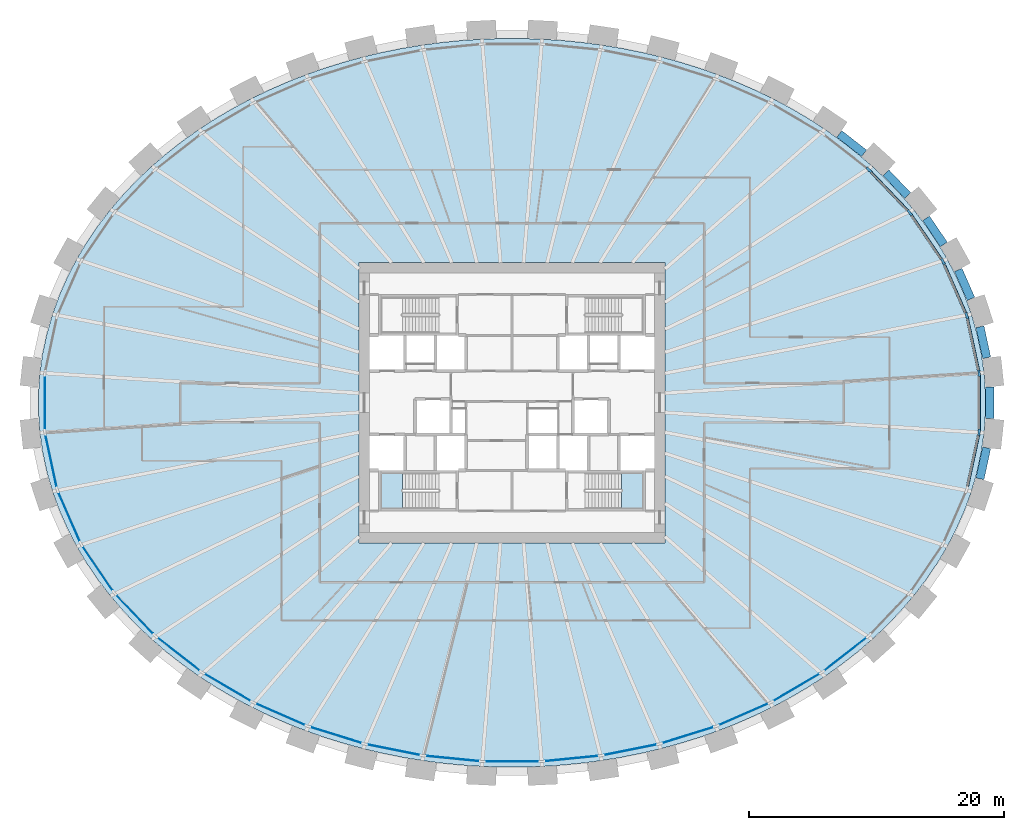
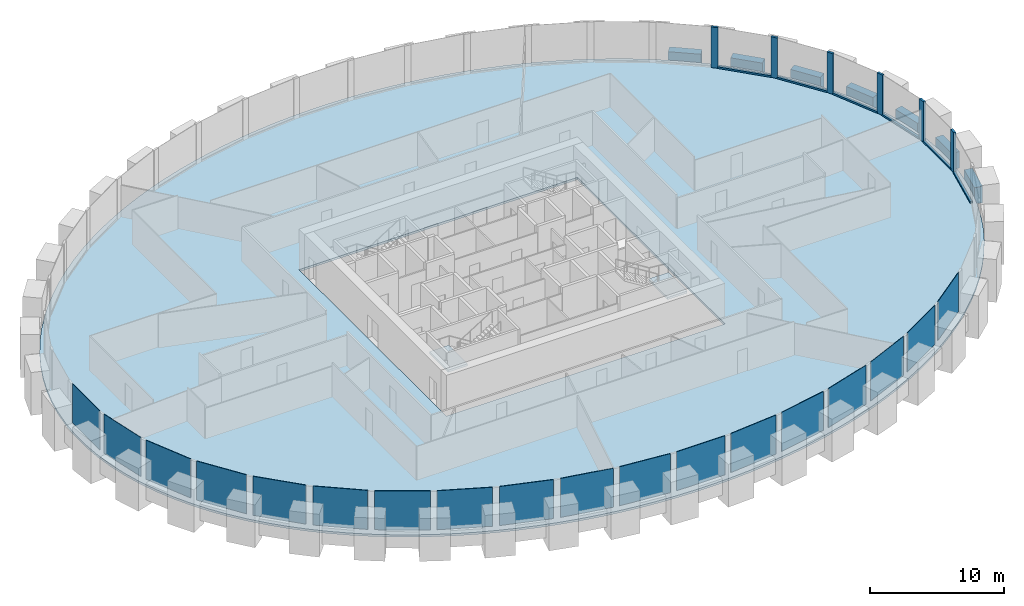
# One storey, part 4 of 10: 18 plates, 12 members, 7 beams, 3 slabs, 3 elements without a shape of their own.
"""IFC4 building model written with IfcOpenShell, lengths in metres."""

from ifc_helpers import new_model, si_unit, direction, frame, origin, origin_2d, place, context, subcontext, project, spatial, polyline, rectangle, outline, extrude, source, transform, mapped, material, layer, layer_set, material_profile, profile_set, type_object, element, aggregate, save


model = new_model("IFC4")

# Units and contexts
model_context = context("Model", 3, precision=1e-05, world=origin(), true_north=direction((0.0, 1.0)))
body_context = subcontext(model_context, "Body", "Model", "MODEL_VIEW")
ifc_project = project(units=[si_unit("LENGTHUNIT", "METRE"), si_unit("AREAUNIT", "SQUARE_METRE"), si_unit("VOLUMEUNIT", "CUBIC_METRE"), si_unit("PLANEANGLEUNIT", "RADIAN"), si_unit("MASSUNIT", "GRAM", prefix="KILO")], contexts=[model_context])

# Site, building, storey
site_placement = place(None, origin())
site = spatial("IfcSite", under=ifc_project, at=site_placement, CompositionType="ELEMENT")
building_placement = place(site_placement, origin())
building = spatial("IfcBuilding", under=site, at=building_placement, Name="Embergate Tower", CompositionType="ELEMENT")
storey_placement = place(building_placement, frame((0.0, 0.0, 156.0)))
storey = spatial("IfcBuildingStorey", under=building, at=storey_placement, Name="L34", CompositionType="ELEMENT", Elevation=156.0)

# Beams
ifc_material_1 = material(Name="Concrete C70", Category="concrete")
ifc_material_profile_1 = material_profile(ifc_material_1, rectangle(XDim=0.64990234375, YDim=1.5, at=origin_2d()), Name="RC 650x1500")
ifc_profile_set_1 = profile_set([ifc_material_profile_1], Name="Concrete C70")
beam_type = type_object("IfcBeamType", Name="Spandrel beam RC 650x1500 C70", PredefinedType="BEAM", material=ifc_profile_set_1)
shared_shape_1 = source(origin(), body_context, "Body", "SweptSolid", [
    extrude(rectangle(XDim=0.64990234375, YDim=1.5, at=origin_2d()), origin(), (0.0, 0.0, 1.0), 2.490966796875),
])
for number, where, z_axis, x_axis, name in (
    (1, (37.27294921875, 3.532958984375, 0.0), (-0.210720345789, 0.977546385534, 0.0), (-0.977546385534, -0.210720345789, 0.0), "SPN-L34-00"),
    (2, (36.748046875, -5.968017578125, 0.0), (0.210720345789, 0.977546385534, 0.0), (-0.977546385534, 0.210720345789, 0.0), "SPN-L34-42"),
):
    element("IfcBeam", number, at=place(storey_placement, frame(where, z_axis=z_axis, x_axis=x_axis)), inside=storey, type_object=beam_type, Name=name, PredefinedType="BEAM", context=body_context, shape_type="MappedRepresentation", body=[
        mapped(shared_shape_1, transform((0.0, 0.0, 0.0))),
    ])
shared_shape_2 = source(origin(), body_context, "Body", "SweptSolid", [
    extrude(rectangle(XDim=0.64990234375, YDim=1.5, at=origin_2d()), origin(), (0.0, 0.0, 1.0), 2.48828125),
])
beam_1_placement = place(storey_placement, frame((36.041015625, 8.156005859375, 0.0), z_axis=(-0.401472379967, 0.91587113074, 0.0), x_axis=(-0.91587113074, -0.401472379967, 0.0)))
element("IfcBeam", 3, at=beam_1_placement, inside=storey, type_object=beam_type, Name="SPN-L34-01", PredefinedType="BEAM", context=body_context, shape_type="MappedRepresentation", body=[
    mapped(shared_shape_2, transform((0.0, 0.0, 0.0))),
])
shared_shape_3 = source(origin(), body_context, "Body", "SweptSolid", [
    extrude(rectangle(XDim=0.64990234375, YDim=1.5, at=origin_2d()), origin(), (0.0, 0.0, 1.0), 2.4775390625),
])
beam_2_placement = place(storey_placement, frame((33.910888671875, 12.43701171875, 0.0), z_axis=(-0.562159078618, 0.827029123022, 0.0), x_axis=(-0.827029123022, -0.562159078618, 0.0)))
element("IfcBeam", 4, at=beam_2_placement, inside=storey, type_object=beam_type, Name="SPN-L34-02", PredefinedType="BEAM", context=body_context, shape_type="MappedRepresentation", body=[
    mapped(shared_shape_3, transform((0.0, 0.0, 0.0))),
])
shared_shape_4 = source(origin(), body_context, "Body", "SweptSolid", [
    extrude(rectangle(XDim=0.64990234375, YDim=1.5, at=origin_2d()), origin(), (0.0, 0.0, 1.0), 2.473388671875),
])
beam_3_placement = place(storey_placement, frame((31.072021484375, 16.27490234375, 0.0), z_axis=(-0.69012823406, 0.723687101276, 0.0), x_axis=(-0.723687101276, -0.69012823406, 0.0)))
element("IfcBeam", 5, at=beam_3_placement, inside=storey, type_object=beam_type, Name="SPN-L34-03", PredefinedType="BEAM", context=body_context, shape_type="MappedRepresentation", body=[
    mapped(shared_shape_4, transform((0.0, 0.0, 0.0))),
])
shared_shape_5 = source(origin(), body_context, "Body", "SweptSolid", [
    extrude(rectangle(XDim=0.64990234375, YDim=1.5, at=origin_2d()), origin(), (0.0, 0.0, 1.0), 2.466552734375),
])
beam_4_placement = place(storey_placement, frame((27.64697265625, 19.593994140625, 0.0), z_axis=(-0.788172909908, 0.615453868367, 0.0), x_axis=(-0.615453868367, -0.788172909908, 0.0)))
element("IfcBeam", 6, at=beam_4_placement, inside=storey, type_object=beam_type, Name="SPN-L34-04", PredefinedType="BEAM", context=body_context, shape_type="MappedRepresentation", body=[
    mapped(shared_shape_5, transform((0.0, 0.0, 0.0))),
])
shared_shape_6 = source(origin(), body_context, "Body", "SweptSolid", [
    extrude(rectangle(XDim=0.64990234375, YDim=1.5, at=origin_2d()), origin(), (0.0, 0.0, 1.0), 2.4921875),
])
beam_5_placement = place(storey_placement, frame((37.51611328125, -1.24609375, 0.0), z_axis=(0.0, 1.0, 0.0), x_axis=(-1.0, 0.0, 0.0)))
element("IfcBeam", 7, at=beam_5_placement, inside=storey, type_object=beam_type, Name="SPN-L34-43", PredefinedType="BEAM", context=body_context, shape_type="MappedRepresentation", body=[
    mapped(shared_shape_6, transform((0.0, 0.0, 0.0))),
])

# Curtain wall, members
ifc_material_2 = material(Name="Aluminium and glass", Category="aluminium")
curtain_wall_type = type_object("IfcCurtainWallType", Name="Recessed office glazing", PredefinedType="NOTDEFINED", material=ifc_material_2)
curtain_wall_placement = place(storey_placement, origin())
curtain_wall = element("IfcCurtainWall", 8, at=curtain_wall_placement, inside=storey, type_object=curtain_wall_type, Name="Recessed office glazing ring", ObjectType="RECESSED OFFICE GLAZING", PredefinedType="USERDEFINED")
ifc_material_3 = material(Name="Aluminium, thermally broken", Category="aluminium")
ifc_material_profile_2 = material_profile(ifc_material_3, rectangle(XDim=0.179931640625, YDim=0.52001953125, at=origin_2d()), Name="AL 520x180")
ifc_profile_set_2 = profile_set([ifc_material_profile_2], Name="Aluminium, thermally broken")
member_type_1 = type_object("IfcMemberType", Name="Office mullion", PredefinedType="MULLION", material=ifc_profile_set_2)
shared_shape_7 = source(origin(), body_context, "Body", "SweptSolid", [
    extrude(rectangle(XDim=0.179931640625, YDim=0.52001953125, at=origin_2d()), origin(), (0.0, 0.0, 1.0), 3.699951171875),
])
member_1_placement = place(storey_placement, frame((36.68310546875, 2.313232421875, 0.0), z_axis=(0.0, 0.0, 1.0), x_axis=(-0.994384954736, -0.105823257345, 0.0)))
member_1 = element("IfcMember", 9, at=member_1_placement, type_object=member_type_1, Name="CW mullion 1", PredefinedType="MULLION", context=body_context, shape_type="MappedRepresentation", body=[
    mapped(shared_shape_7, transform((0.0, 0.0, 0.0))),
])
member_2_placement = place(storey_placement, frame((35.708984375, 6.8388671875, 0.0), z_axis=(0.0, 0.0, 1.0), x_axis=(-0.951498334951, -0.307653894149, 0.0)))
member_2 = element("IfcMember", 10, at=member_2_placement, type_object=member_type_1, Name="CW mullion 2", PredefinedType="MULLION", context=body_context, shape_type="MappedRepresentation", body=[
    mapped(shared_shape_7, transform((0.0, 0.0, 0.0))),
])
member_3_placement = place(storey_placement, frame((33.846923828125, 11.084716796875, 0.0), z_axis=(0.0, 0.0, 1.0), x_axis=(-0.875001895832, -0.484119491748, 0.0)))
member_3 = element("IfcMember", 11, at=member_3_placement, type_object=member_type_1, Name="CW mullion 3", PredefinedType="MULLION", context=body_context, shape_type="MappedRepresentation", body=[
    mapped(shared_shape_7, transform((0.0, 0.0, 0.0))),
])
member_4_placement = place(storey_placement, frame((31.23486328125, 14.92578125, 0.0), z_axis=(0.0, 0.0, 1.0), x_axis=(-0.777872564355, -0.628422050555, 0.0)))
member_4 = element("IfcMember", 12, at=member_4_placement, type_object=member_type_1, Name="CW mullion 4", PredefinedType="MULLION", context=body_context, shape_type="MappedRepresentation", body=[
    mapped(shared_shape_7, transform((0.0, 0.0, 0.0))),
])
member_5_placement = place(storey_placement, frame((28.023193359375, 18.29345703125, 0.0), z_axis=(0.0, 0.0, 1.0), x_axis=(-0.671226533956, -0.741252278319, 0.0)))
member_5 = element("IfcMember", 13, at=member_5_placement, type_object=member_type_1, Name="CW mullion 5", PredefinedType="MULLION", context=body_context, shape_type="MappedRepresentation", body=[
    mapped(shared_shape_7, transform((0.0, 0.0, 0.0))),
])
member_6_placement = place(storey_placement, frame((36.68310546875, -2.313232421875, 0.0), z_axis=(0.0, 0.0, 1.0), x_axis=(-0.994384954736, 0.105823257345, 0.0)))
member_6 = element("IfcMember", 14, at=member_6_placement, type_object=member_type_1, Name="CW mullion 44", PredefinedType="MULLION", context=body_context, shape_type="MappedRepresentation", body=[
    mapped(shared_shape_7, transform((0.0, 0.0, 0.0))),
])
ifc_material_profile_3 = material_profile(ifc_material_3, rectangle(XDim=0.179931640625, YDim=0.14990234375, at=origin_2d()), Name="AL 150x180")
ifc_profile_set_3 = profile_set([ifc_material_profile_3], Name="Aluminium, thermally broken")
member_type_2 = type_object("IfcMemberType", Name="Office sill transom", PredefinedType="USERDEFINED", material=ifc_profile_set_3)
shared_shape_8 = source(origin(), body_context, "Body", "SweptSolid", [
    extrude(rectangle(XDim=0.179931640625, YDim=0.14990234375, at=origin_2d()), origin(), (0.0, 0.0, 1.0), 4.109375),
])
member_7_placement = place(storey_placement, frame((36.62841796875, 2.5673828125, 0.074951171875), z_axis=(-0.210377003976, 0.97762033336, 0.0), x_axis=(-0.97762033336, -0.210377003976, 0.0)))
member_7 = element("IfcMember", 15, at=member_7_placement, type_object=member_type_2, Name="CW transom 1.1", ObjectType="TRANSOM", PredefinedType="USERDEFINED", context=body_context, shape_type="MappedRepresentation", body=[
    mapped(shared_shape_8, transform((0.0, 0.0, 0.0))),
])
member_8_placement = place(storey_placement, frame((35.763916015625, -6.584716796875, 0.074951171875), z_axis=(0.210377003976, 0.97762033336, 0.0), x_axis=(-0.97762033336, 0.210377003976, 0.0)))
member_8 = element("IfcMember", 16, at=member_8_placement, type_object=member_type_2, Name="CW transom 43.1", ObjectType="TRANSOM", PredefinedType="USERDEFINED", context=body_context, shape_type="MappedRepresentation", body=[
    mapped(shared_shape_8, transform((0.0, 0.0, 0.0))),
])
shared_shape_9 = source(origin(), body_context, "Body", "SweptSolid", [
    extrude(rectangle(XDim=0.179931640625, YDim=0.14990234375, at=origin_2d()), origin(), (0.0, 0.0, 1.0), 4.1162109375),
])
member_9_placement = place(storey_placement, frame((35.6044921875, 7.076904296875, 0.074951171875), z_axis=(-0.401593425876, 0.915818060694, 0.0), x_axis=(-0.915818060694, -0.401593425876, 0.0)))
member_9 = element("IfcMember", 17, at=member_9_placement, type_object=member_type_2, Name="CW transom 2.1", ObjectType="TRANSOM", PredefinedType="USERDEFINED", context=body_context, shape_type="MappedRepresentation", body=[
    mapped(shared_shape_9, transform((0.0, 0.0, 0.0))),
])
shared_shape_10 = source(origin(), body_context, "Body", "SweptSolid", [
    extrude(rectangle(XDim=0.179931640625, YDim=0.14990234375, at=origin_2d()), origin(), (0.0, 0.0, 1.0), 4.124755859375),
])
member_10_placement = place(storey_placement, frame((33.70068359375, 11.2998046875, 0.074951171875), z_axis=(-0.562339161446, 0.826906686092, 0.0), x_axis=(-0.826906686092, -0.562339161446, 0.0)))
member_10 = element("IfcMember", 18, at=member_10_placement, type_object=member_type_2, Name="CW transom 3.1", ObjectType="TRANSOM", PredefinedType="USERDEFINED", context=body_context, shape_type="MappedRepresentation", body=[
    mapped(shared_shape_10, transform((0.0, 0.0, 0.0))),
])
shared_shape_11 = source(origin(), body_context, "Body", "SweptSolid", [
    extrude(rectangle(XDim=0.179931640625, YDim=0.14990234375, at=origin_2d()), origin(), (0.0, 0.0, 1.0), 4.133544921875),
])
member_11_placement = place(storey_placement, frame((31.055419921875, 15.11376953125, 0.074951171875), z_axis=(-0.690134325915, 0.723681291864, 0.0), x_axis=(-0.723681291864, -0.690134325915, 0.0)))
member_11 = element("IfcMember", 19, at=member_11_placement, type_object=member_type_2, Name="CW transom 4.1", ObjectType="TRANSOM", PredefinedType="USERDEFINED", context=body_context, shape_type="MappedRepresentation", body=[
    mapped(shared_shape_11, transform((0.0, 0.0, 0.0))),
])
shared_shape_12 = source(origin(), body_context, "Body", "SweptSolid", [
    extrude(rectangle(XDim=0.179931640625, YDim=0.14990234375, at=origin_2d()), origin(), (0.0, 0.0, 1.0), 4.1064453125),
])
member_12_placement = place(storey_placement, frame((36.68310546875, -2.05322265625, 0.074951171875), z_axis=(0.0, 1.0, 0.0), x_axis=(-1.0, 0.0, 0.0)))
member_12 = element("IfcMember", 20, at=member_12_placement, type_object=member_type_2, Name="CW transom 44.1", ObjectType="TRANSOM", PredefinedType="USERDEFINED", context=body_context, shape_type="MappedRepresentation", body=[
    mapped(shared_shape_12, transform((0.0, 0.0, 0.0))),
])

# Slab
ifc_material_4 = material(Name="Concrete C40", Category="concrete")
ifc_layer_1 = layer(ifc_material_4, 0.199951171875)
ifc_layer_set_1 = layer_set([ifc_layer_1], Name="Concrete C40")
slab_type_1 = type_object("IfcSlabType", Name="Composite floor slab C40 200", PredefinedType="FLOOR", material=ifc_layer_set_1)
shared_shape_13 = source(origin(), body_context, "Body", "SweptSolid", [
    extrude(outline(polyline([(0.0, 0.0), (1.57421875, 0.0), (3.14501953125, 0.052001953125), (4.718017578125, 0.154052734375), (6.2841796875, 0.307861328125), (7.840087890625, 0.512939453125), (9.398193359375, 0.77099609375), (10.941162109375, 1.0810546875), (12.464111328125, 1.44091796875), (13.9921875, 1.85791015625), (15.494140625, 2.324951171875), (16.968017578125, 2.843017578125), (18.444091796875, 3.4228515625), (19.88623046875, 4.053955078125), (21.2890625, 4.73291015625), (22.691162109375, 5.48095703125), (24.047119140625, 6.27783203125), (25.35400390625, 7.123046875), (26.652099609375, 8.0439453125), (27.89208984375, 9.011962890625), (29.071044921875, 10.02392578125), (30.22802734375, 11.118896484375), (31.31298828125, 12.2568359375), (32.32421875, 13.434814453125), (33.294189453125, 14.698974609375), (34.17822265625, 15.9990234375), (34.97509765625, 17.33203125), (35.7041015625, 18.743896484375), (36.336181640625, 20.183837890625), (36.8671875, 21.64697265625), (37.30615234375, 23.16796875), (37.63623046875, 24.703857421875), (37.858154296875, 26.251953125), (37.97021484375, 27.821044921875), (37.97021484375, 29.392822265625), (37.858154296875, 30.9619140625), (37.63623046875, 32.510009765625), (37.30615234375, 34.0458984375), (36.8671875, 35.56689453125), (36.336181640625, 37.030029296875), (35.7041015625, 38.469970703125), (34.97509765625, 39.8818359375), (34.17822265625, 41.21484375), (33.294189453125, 42.514892578125), (32.32421875, 43.779052734375), (31.31298828125, 44.95703125), (30.22802734375, 46.094970703125), (29.071044921875, 47.18994140625), (27.89208984375, 48.201904296875), (26.652099609375, 49.169921875), (25.35400390625, 50.0908203125), (24.047119140625, 50.93603515625), (22.691162109375, 51.73291015625), (21.2890625, 52.48095703125), (19.88623046875, 53.159912109375), (18.444091796875, 53.791015625), (16.968017578125, 54.370849609375), (15.494140625, 54.888916015625), (13.9921875, 55.35595703125), (12.464111328125, 55.77294921875), (10.941162109375, 56.1328125), (9.398193359375, 56.44287109375), (7.840087890625, 56.700927734375), (6.2841796875, 56.906005859375), (4.718017578125, 57.059814453125), (3.14501953125, 57.161865234375), (1.57421875, 57.2138671875), (0.0, 57.2138671875), (-1.57080078125, 57.161865234375), (-3.143798828125, 57.059814453125), (-4.7099609375, 56.906005859375), (-6.265869140625, 56.700927734375), (-7.823974609375, 56.44287109375), (-9.366943359375, 56.1328125), (-10.889892578125, 55.77294921875), (-12.41796875, 55.35595703125), (-13.919921875, 54.888916015625), (-15.393798828125, 54.370849609375), (-16.869873046875, 53.791015625), (-18.31201171875, 53.159912109375), (-19.71484375, 52.48095703125), (-21.116943359375, 51.73291015625), (-22.472900390625, 50.93603515625), (-23.77978515625, 50.0908203125), (-25.077880859375, 49.169921875), (-26.31787109375, 48.201904296875), (-27.496826171875, 47.18994140625), (-28.65380859375, 46.094970703125), (-29.73876953125, 44.95703125), (-30.75, 43.779052734375), (-31.719970703125, 42.514892578125), (-32.60400390625, 41.21484375), (-33.40087890625, 39.8818359375), (-34.1298828125, 38.469970703125), (-34.761962890625, 37.030029296875), (-35.29296875, 35.56689453125), (-35.73193359375, 34.0458984375), (-36.06201171875, 32.510009765625), (-36.283935546875, 30.9619140625), (-36.39599609375, 29.392822265625), (-36.39599609375, 27.821044921875), (-36.283935546875, 26.251953125), (-36.06201171875, 24.703857421875), (-35.73193359375, 23.16796875), (-35.29296875, 21.64697265625), (-34.761962890625, 20.183837890625), (-34.1298828125, 18.743896484375), (-33.40087890625, 17.33203125), (-32.60400390625, 15.9990234375), (-31.719970703125, 14.698974609375), (-30.75, 13.434814453125), (-29.73876953125, 12.2568359375), (-28.65380859375, 11.118896484375), (-27.496826171875, 10.02392578125), (-26.31787109375, 9.011962890625), (-25.077880859375, 8.0439453125), (-23.77978515625, 7.123046875), (-22.472900390625, 6.27783203125), (-21.116943359375, 5.48095703125), (-19.71484375, 4.73291015625), (-18.31201171875, 4.053955078125), (-16.869873046875, 3.4228515625), (-15.393798828125, 2.843017578125), (-13.919921875, 2.324951171875), (-12.41796875, 1.85791015625), (-10.889892578125, 1.44091796875), (-9.366943359375, 1.0810546875), (-7.823974609375, 0.77099609375), (-6.265869140625, 0.512939453125), (-4.7099609375, 0.307861328125), (-3.143798828125, 0.154052734375), (-1.57080078125, 0.052001953125), (0.0, 0.0)]), holes=[polyline([(-11.212890625, 17.60693359375), (-11.212890625, 39.60693359375), (12.787109375, 39.60693359375), (12.787109375, 17.60693359375), (-11.212890625, 17.60693359375)])]), origin(), (0.0, 0.0, 1.0), 0.199951171875),
])
slab_1_placement = place(storey_placement, frame((-0.787109375, -28.60693359375, -0.199951171875)))
element("IfcSlab", 21, at=slab_1_placement, inside=storey, type_object=slab_type_1, Name="SLB-L34-00", PredefinedType="FLOOR", context=body_context, shape_type="MappedRepresentation", body=[
    mapped(shared_shape_13, transform((0.0, 0.0, 0.0))),
])

# Plate
ifc_material_5 = material(Name="Triple glazing, low-emissivity coating", Category="glass")
ifc_layer_2 = layer(ifc_material_5, 0.035888671875)
ifc_layer_set_2 = layer_set([ifc_layer_2], Name="Triple glazing, low-emissivity coating")
plate_type = type_object("IfcPlateType", Name="Office glazing unit", PredefinedType="CURTAIN_PANEL", material=ifc_layer_set_2)
shared_shape_14 = source(origin(), body_context, "Body", "SweptSolid", [
    extrude(rectangle(XDim=4.109130859375, YDim=0.035888671875, at=origin_2d()), origin(), (0.0, 0.0, 1.0), 3.550048828125),
])
plate_1_placement = place(storey_placement, frame((-36.196044921875, -4.576171875, 0.14990234375), z_axis=(0.0, 0.0, 1.0), x_axis=(0.210398391177, -0.97761573074, 0.0)))
plate_1 = element("IfcPlate", 22, at=plate_1_placement, type_object=plate_type, Name="CW panel 23.1", PredefinedType="CURTAIN_PANEL", context=body_context, shape_type="MappedRepresentation", body=[
    mapped(shared_shape_14, transform((0.0, 0.0, 0.0))),
])

shared_shape_15 = source(origin(), body_context, "Body", "SweptSolid", [
    extrude(rectangle(XDim=4.1162109375, YDim=0.035888671875, at=origin_2d()), origin(), (0.0, 0.0, 1.0), 3.550048828125),
])
plate_2_placement = place(storey_placement, frame((-34.778076171875, -8.9619140625, 0.14990234375), z_axis=(0.0, 0.0, 1.0), x_axis=(0.401652101157, -0.91579232888, 0.0)))
plate_2 = element("IfcPlate", 23, at=plate_2_placement, type_object=plate_type, Name="CW panel 24.1", PredefinedType="CURTAIN_PANEL", context=body_context, shape_type="MappedRepresentation", body=[
    mapped(shared_shape_15, transform((0.0, 0.0, 0.0))),
])

shared_shape_16 = source(origin(), body_context, "Body", "SweptSolid", [
    extrude(rectangle(XDim=4.125, YDim=0.035888671875, at=origin_2d()), origin(), (0.0, 0.0, 1.0), 3.550048828125),
])
plate_3_placement = place(storey_placement, frame((-32.541015625, -13.005126953125, 0.14990234375), z_axis=(0.0, 0.0, 1.0), x_axis=(0.562341741915, -0.826904931234, 0.0)))
plate_3 = element("IfcPlate", 24, at=plate_3_placement, type_object=plate_type, Name="CW panel 25.1", PredefinedType="CURTAIN_PANEL", context=body_context, shape_type="MappedRepresentation", body=[
    mapped(shared_shape_16, transform((0.0, 0.0, 0.0))),
])

shared_shape_17 = source(origin(), body_context, "Body", "SweptSolid", [
    extrude(rectangle(XDim=4.1337890625, YDim=0.035888671875, at=origin_2d()), origin(), (0.0, 0.0, 1.0), 3.550048828125),
])
plate_4_placement = place(storey_placement, frame((-29.62890625, -16.609619140625, 0.14990234375), z_axis=(0.0, 0.0, 1.0), x_axis=(0.690135047526, -0.723680603703, 0.0)))
plate_4 = element("IfcPlate", 25, at=plate_4_placement, type_object=plate_type, Name="CW panel 26.1", PredefinedType="CURTAIN_PANEL", context=body_context, shape_type="MappedRepresentation", body=[
    mapped(shared_shape_17, transform((0.0, 0.0, 0.0))),
])

shared_shape_18 = source(origin(), body_context, "Body", "SweptSolid", [
    extrude(rectangle(XDim=4.14111328125, YDim=0.035888671875, at=origin_2d()), origin(), (0.0, 0.0, 1.0), 3.550048828125),
])
plate_5_placement = place(storey_placement, frame((-26.185791015625, -19.727294921875, 0.14990234375), z_axis=(0.0, 0.0, 1.0), x_axis=(0.788320119254, -0.615265300158, 0.0)))
plate_5 = element("IfcPlate", 26, at=plate_5_placement, type_object=plate_type, Name="CW panel 27.1", PredefinedType="CURTAIN_PANEL", context=body_context, shape_type="MappedRepresentation", body=[
    mapped(shared_shape_18, transform((0.0, 0.0, 0.0))),
])

plate_6_placement = place(storey_placement, frame((26.185791015625, -19.727294921875, 0.14990234375), z_axis=(0.0, 0.0, 1.0), x_axis=(0.788320119254, 0.615265300158, 0.0)))
plate_6 = element("IfcPlate", 27, at=plate_6_placement, type_object=plate_type, Name="CW panel 39.1", PredefinedType="CURTAIN_PANEL", context=body_context, shape_type="MappedRepresentation", body=[
    mapped(shared_shape_18, transform((0.0, 0.0, 0.0))),
])

shared_shape_19 = source(origin(), body_context, "Body", "SweptSolid", [
    extrude(rectangle(XDim=4.147216796875, YDim=0.035888671875, at=origin_2d()), origin(), (0.0, 0.0, 1.0), 3.550048828125),
])
plate_7_placement = place(storey_placement, frame((-22.3369140625, -22.343994140625, 0.14990234375), z_axis=(0.0, 0.0, 1.0), x_axis=(0.862053167811, -0.50681785275, 0.0)))
plate_7 = element("IfcPlate", 28, at=plate_7_placement, type_object=plate_type, Name="CW panel 28.1", PredefinedType="CURTAIN_PANEL", context=body_context, shape_type="MappedRepresentation", body=[
    mapped(shared_shape_19, transform((0.0, 0.0, 0.0))),
])

plate_8_placement = place(storey_placement, frame((22.3369140625, -22.343994140625, 0.14990234375), z_axis=(0.0, 0.0, 1.0), x_axis=(0.862053167811, 0.50681785275, 0.0)))
plate_8 = element("IfcPlate", 29, at=plate_8_placement, type_object=plate_type, Name="CW panel 38.1", PredefinedType="CURTAIN_PANEL", context=body_context, shape_type="MappedRepresentation", body=[
    mapped(shared_shape_19, transform((0.0, 0.0, 0.0))),
])

shared_shape_20 = source(origin(), body_context, "Body", "SweptSolid", [
    extrude(rectangle(XDim=4.151611328125, YDim=0.035888671875, at=origin_2d()), origin(), (0.0, 0.0, 1.0), 3.550048828125),
])
plate_9_placement = place(storey_placement, frame((-18.18505859375, -24.462646484375, 0.14990234375), z_axis=(0.0, 0.0, 1.0), x_axis=(0.916236211741, -0.400638495772, 0.0)))
plate_9 = element("IfcPlate", 30, at=plate_9_placement, type_object=plate_type, Name="CW panel 29.1", PredefinedType="CURTAIN_PANEL", context=body_context, shape_type="MappedRepresentation", body=[
    mapped(shared_shape_20, transform((0.0, 0.0, 0.0))),
])

plate_10_placement = place(storey_placement, frame((18.18505859375, -24.462646484375, 0.14990234375), z_axis=(0.0, 0.0, 1.0), x_axis=(0.916236211741, 0.400638495772, 0.0)))
plate_10 = element("IfcPlate", 31, at=plate_10_placement, type_object=plate_type, Name="CW panel 37.1", PredefinedType="CURTAIN_PANEL", context=body_context, shape_type="MappedRepresentation", body=[
    mapped(shared_shape_20, transform((0.0, 0.0, 0.0))),
])

shared_shape_21 = source(origin(), body_context, "Body", "SweptSolid", [
    extrude(rectangle(XDim=4.155029296875, YDim=0.035888671875, at=origin_2d()), origin(), (0.0, 0.0, 1.0), 3.550048828125),
])
plate_11_placement = place(storey_placement, frame((-13.81298828125, -26.093505859375, 0.14990234375), z_axis=(0.0, 0.0, 1.0), x_axis=(0.954772217174, -0.297338213676, 0.0)))
plate_11 = element("IfcPlate", 32, at=plate_11_placement, type_object=plate_type, Name="CW panel 30.1", PredefinedType="CURTAIN_PANEL", context=body_context, shape_type="MappedRepresentation", body=[
    mapped(shared_shape_21, transform((0.0, 0.0, 0.0))),
])

plate_12_placement = place(storey_placement, frame((13.81298828125, -26.093505859375, 0.14990234375), z_axis=(0.0, 0.0, 1.0), x_axis=(0.954772217174, 0.297338213676, 0.0)))
plate_12 = element("IfcPlate", 33, at=plate_12_placement, type_object=plate_type, Name="CW panel 36.1", PredefinedType="CURTAIN_PANEL", context=body_context, shape_type="MappedRepresentation", body=[
    mapped(shared_shape_21, transform((0.0, 0.0, 0.0))),
])

shared_shape_22 = source(origin(), body_context, "Body", "SweptSolid", [
    extrude(rectangle(XDim=4.1572265625, YDim=0.035888671875, at=origin_2d()), origin(), (0.0, 0.0, 1.0), 3.550048828125),
])
plate_13_placement = place(storey_placement, frame((-9.288330078125, -27.248291015625, 0.14990234375), z_axis=(0.0, 0.0, 1.0), x_axis=(0.980475907409, -0.196639250889, 0.0)))
plate_13 = element("IfcPlate", 34, at=plate_13_placement, type_object=plate_type, Name="CW panel 31.1", PredefinedType="CURTAIN_PANEL", context=body_context, shape_type="MappedRepresentation", body=[
    mapped(shared_shape_22, transform((0.0, 0.0, 0.0))),
])

plate_14_placement = place(storey_placement, frame((9.288330078125, -27.248291015625, 0.14990234375), z_axis=(0.0, 0.0, 1.0), x_axis=(0.980475907409, 0.196639250889, 0.0)))
plate_14 = element("IfcPlate", 35, at=plate_14_placement, type_object=plate_type, Name="CW panel 35.1", PredefinedType="CURTAIN_PANEL", context=body_context, shape_type="MappedRepresentation", body=[
    mapped(shared_shape_22, transform((0.0, 0.0, 0.0))),
])

shared_shape_23 = source(origin(), body_context, "Body", "SweptSolid", [
    extrude(rectangle(XDim=4.158447265625, YDim=0.035888671875, at=origin_2d()), origin(), (0.0, 0.0, 1.0), 3.550048828125),
])
plate_15_placement = place(storey_placement, frame((-4.66748046875, -27.93701171875, 0.14990234375), z_axis=(0.0, 0.0, 1.0), x_axis=(0.995203184788, -0.097829550688, 0.0)))
plate_15 = element("IfcPlate", 36, at=plate_15_placement, type_object=plate_type, Name="CW panel 32.1", PredefinedType="CURTAIN_PANEL", context=body_context, shape_type="MappedRepresentation", body=[
    mapped(shared_shape_23, transform((0.0, 0.0, 0.0))),
])

plate_16_placement = place(storey_placement, frame((4.66748046875, -27.93701171875, 0.14990234375), z_axis=(0.0, 0.0, 1.0), x_axis=(0.995203184788, 0.097829550688, 0.0)))
plate_16 = element("IfcPlate", 37, at=plate_16_placement, type_object=plate_type, Name="CW panel 34.1", PredefinedType="CURTAIN_PANEL", context=body_context, shape_type="MappedRepresentation", body=[
    mapped(shared_shape_23, transform((0.0, 0.0, 0.0))),
])

shared_shape_24 = source(origin(), body_context, "Body", "SweptSolid", [
    extrude(rectangle(XDim=4.158935546875, YDim=0.035888671875, at=origin_2d()), origin(), (0.0, 0.0, 1.0), 3.550048828125),
])
plate_17_placement = place(storey_placement, frame((0.0, -28.166015625, 0.14990234375), z_axis=(0.0, 0.0, 1.0), x_axis=(1.0, 0.0, 0.0)))
plate_17 = element("IfcPlate", 38, at=plate_17_placement, type_object=plate_type, Name="CW panel 33.1", PredefinedType="CURTAIN_PANEL", context=body_context, shape_type="MappedRepresentation", body=[
    mapped(shared_shape_24, transform((0.0, 0.0, 0.0))),
])

shared_shape_25 = source(origin(), body_context, "Body", "SweptSolid", [
    extrude(rectangle(XDim=4.106689453125, YDim=0.035888671875, at=origin_2d()), origin(), (0.0, 0.0, 1.0), 3.550048828125),
])
plate_18_placement = place(storey_placement, frame((-36.68310546875, 0.0, 0.14990234375), z_axis=(0.0, 0.0, 1.0), x_axis=(0.0, -1.0, 0.0)))
plate_18 = element("IfcPlate", 39, at=plate_18_placement, type_object=plate_type, Name="CW panel 22.1", PredefinedType="CURTAIN_PANEL", context=body_context, shape_type="MappedRepresentation", body=[
    mapped(shared_shape_25, transform((0.0, 0.0, 0.0))),
])

aggregate(curtain_wall, [member_1, member_2, member_3, member_4, member_5, member_6, member_7, member_9, member_10, member_11, plate_18, plate_1, plate_2, plate_3, plate_4, plate_5, plate_7, plate_9, plate_11, plate_13, plate_15, plate_17, plate_16, plate_14, plate_12, plate_10, plate_8, plate_6, member_8, member_12])

# Stair, slab
ifc_material_6 = material(Name="Exit stair")
stair_type = type_object("IfcStairType", Name="Exit stair", PredefinedType="HALF_TURN_STAIR", material=ifc_material_6)
stair_1_placement = place(storey_placement, origin())
stair_1 = element("IfcStair", 40, at=stair_1_placement, inside=storey, type_object=stair_type, Name="L34 Exit stair 3", PredefinedType="HALF_TURN_STAIR")
ifc_layer_3 = layer(ifc_material_4, 0.199951171875)
ifc_layer_set_3 = layer_set([ifc_layer_3], Name="Concrete C40")
slab_type_2 = type_object("IfcSlabType", Name="Stair landing reinforced concrete", PredefinedType="LANDING", material=ifc_layer_set_3)
shared_shape_26 = source(origin(), body_context, "Body", "SweptSolid", [
    extrude(outline(polyline([(0.0, 0.0), (1.68994140625, 0.0), (1.68994140625, 2.800048828125), (0.0, 2.800048828125), (0.0, 0.0)])), origin(), (0.0, 0.0, 1.0), 0.199951171875),
])
slab_2_placement = place(storey_placement, frame((-10.300048828125, -8.300048828125, 1.75)))
slab_2 = element("IfcSlab", 41, at=slab_2_placement, type_object=slab_type_2, Name="ST3 landing 1", PredefinedType="LANDING", context=body_context, shape_type="MappedRepresentation", body=[
    mapped(shared_shape_26, transform((0.0, 0.0, 0.0))),
])
aggregate(stair_1, [slab_2])

stair_2_placement = place(storey_placement, origin())
stair_2 = element("IfcStair", 42, at=stair_2_placement, inside=storey, type_object=stair_type, Name="L34 Exit stair 4", PredefinedType="HALF_TURN_STAIR")
slab_3_placement = place(storey_placement, frame((8.610107421875, -8.300048828125, 1.75)))
slab_3 = element("IfcSlab", 43, at=slab_3_placement, type_object=slab_type_2, Name="ST4 landing 1", PredefinedType="LANDING", context=body_context, shape_type="MappedRepresentation", body=[
    mapped(shared_shape_26, transform((0.0, 0.0, 0.0))),
])
aggregate(stair_2, [slab_3])

save(model, "model.ifc")
